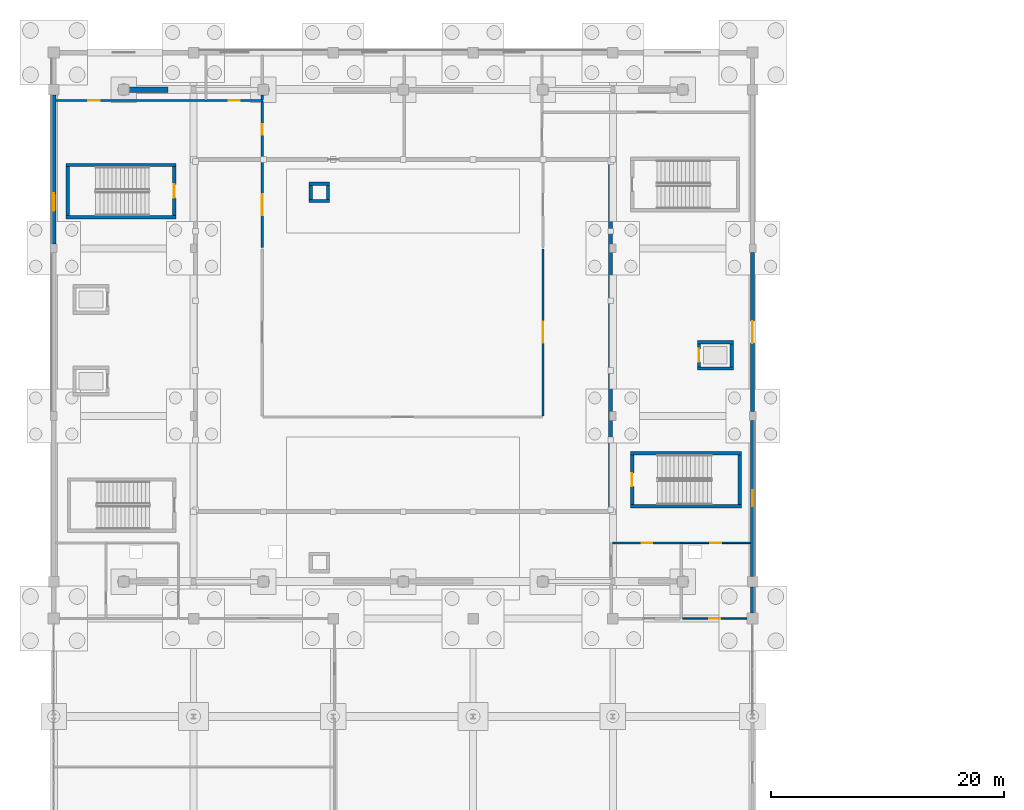
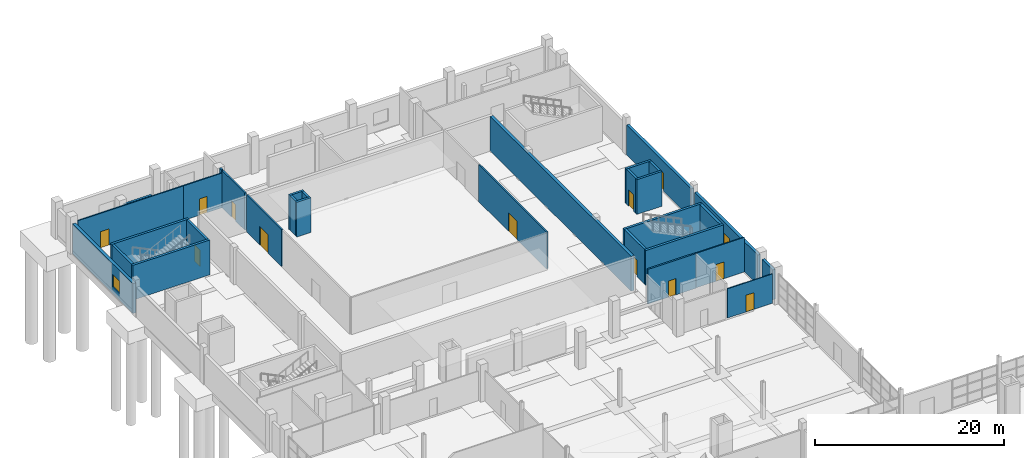
# One storey, part 60 of 82: 31 walls, 12 doors, 2 windows, 14 openings.
"""IFC4 building model written with IfcOpenShell, lengths in metres."""

from ifc_helpers import new_model, si_unit, direction, frame, frame_2d, origin, place, context, subcontext, project, spatial, rectangle, extrude, material, layer, layer_set, type_object, element, fill, save


model = new_model("IFC4")

# Units and contexts
model_context = context("Model", 3, precision=1e-05, world=origin(), true_north=direction((0.0, 1.0)))
body_context = subcontext(model_context, "Body", "Model", "MODEL_VIEW")
ifc_project = project(units=[si_unit("LENGTHUNIT", "METRE"), si_unit("AREAUNIT", "SQUARE_METRE"), si_unit("VOLUMEUNIT", "CUBIC_METRE"), si_unit("PLANEANGLEUNIT", "RADIAN"), si_unit("MASSUNIT", "GRAM", prefix="KILO")], contexts=[model_context])

# Site, building, storey
site_placement = place(None, origin())
site = spatial("IfcSite", under=ifc_project, at=site_placement, CompositionType="ELEMENT")
building_placement = place(site_placement, origin())
building = spatial("IfcBuilding", under=site, at=building_placement, Name="Kelmvaro Bay Concert Hall", CompositionType="ELEMENT")
storey_placement = place(building_placement, origin())
storey = spatial("IfcBuildingStorey", under=building, at=storey_placement, Name="L00", CompositionType="ELEMENT", Elevation=0.0)

# Wall, opening, door
ifc_material_1 = material(Name="Acoustic Gypsum Board on Galvanised Steel Studs", Category="steel")
ifc_layer_1 = layer(ifc_material_1, 0.199951171875)
ifc_layer_set_1 = layer_set([ifc_layer_1], Name="Acoustic Gypsum Board on Galvanised Steel Studs")
wall_type_1 = type_object("IfcWallType", Name="Double-Stud Acoustic Studio Partition 200", PredefinedType="PARTITIONING", material=ifc_layer_set_1)
wall_1_placement = place(storey_placement, frame((17.89990234375, 105.0048828125, 0.0), z_axis=(0.0, 0.0, 1.0), x_axis=(0.0, 1.0, 0.0)))
wall_1 = element("IfcWall", 1, at=wall_1_placement, inside=storey, type_object=wall_type_1, Name="L00 Interior Partition PT-L00-0015", PredefinedType="PARTITIONING", context=body_context, shape_type="SweptSolid", body=[
    extrude(rectangle(XDim=4.7900390625, YDim=0.199951171875, at=frame_2d((2.39501953125, 0.0))), origin(), (0.0, 0.0, 1.0), 4.800048828125),
])
opening_1_placement = place(wall_1_placement, frame((1.93994140625, 0.0, 0.0)))
opening_1 = element("IfcOpeningElement", 2, at=opening_1_placement, cuts=wall_1, Name="Opening ID-PL2", PredefinedType="OPENING", context=body_context, shape_type="SweptSolid", body=[
    extrude(rectangle(XDim=0.909912109375, YDim=2.10009765625, at=frame_2d((0.455078125, 1.050048828125))), frame((0.0, 0.10986328125, 0.0), z_axis=(0.0, -1.0, 0.0), x_axis=(1.0, 0.0, 0.0)), (0.0, 0.0, 1.0), 0.219970703125),
])
ifc_material_2 = material(Name="Fire-Rated Galvanised Steel", Category="steel")
door_type_1 = type_object("IfcDoorType", Name="Fire Command and Storage Door 910x2100", OperationType="NOTDEFINED", PredefinedType="DOOR", material=ifc_material_2)
door_1_placement = place(opening_1_placement, origin())
door_1 = element("IfcDoor", 3, at=door_1_placement, inside=storey, type_object=door_type_1, Name="L00 Interior Door DR-INT-L00-0012", OperationType="SINGLE_SWING_RIGHT", OverallHeight=2.10009765625, OverallWidth=0.909912109375, PredefinedType="DOOR", context=body_context, shape_type="SweptSolid", body=[
    extrude(rectangle(XDim=0.909912109375, YDim=2.10009765625, at=frame_2d((0.455078125, 1.050048828125))), frame((0.0, 0.02490234375, 0.0), z_axis=(0.0, -1.0, 0.0), x_axis=(1.0, 0.0, 0.0)), (0.0, 0.0, 1.0), 0.050048828125),
])
fill(opening_1, door_1)

# Wall
wall_2_placement = place(storey_placement, frame((17.89990234375, 109.965087890625, 0.0), z_axis=(0.0, 0.0, 1.0), x_axis=(0.0, 1.0, 0.0)))
element("IfcWall", 4, at=wall_2_placement, inside=storey, type_object=wall_type_1, Name="L00 Interior Partition PT-L00-0020", PredefinedType="PARTITIONING", context=body_context, shape_type="SweptSolid", body=[
    extrude(rectangle(XDim=0.39697265625, YDim=0.199951171875, at=frame_2d((0.198486328125, 0.0))), origin(), (0.0, 0.0, 1.0), 4.800048828125),
])

# Wall, opening, door
wall_3_placement = place(storey_placement, frame((47.989990234375, 71.89990234375, 0.0), z_axis=(0.0, 0.0, 1.0), x_axis=(1.0, 0.0, 0.0)))
wall_3 = element("IfcWall", 5, at=wall_3_placement, inside=storey, type_object=wall_type_1, Name="L00 Interior Partition PT-L00-0028", PredefinedType="PARTITIONING", context=body_context, shape_type="SweptSolid", body=[
    extrude(rectangle(XDim=5.89501953125, YDim=0.199951171875, at=frame_2d((2.947509765625, 0.0))), origin(), (0.0, 0.0, 1.0), 4.47998046875),
])
opening_2_placement = place(wall_3_placement, frame((2.492431640625, 0.0, 0.0)))
opening_2 = element("IfcOpeningElement", 6, at=opening_2_placement, cuts=wall_3, Name="Opening ID-PL2", PredefinedType="OPENING", context=body_context, shape_type="SweptSolid", body=[
    extrude(rectangle(XDim=0.909912109375, YDim=2.10009765625, at=frame_2d((0.455078125, 1.050048828125))), frame((0.0, 0.10986328125, 0.0), z_axis=(0.0, -1.0, 0.0), x_axis=(1.0, 0.0, 0.0)), (0.0, 0.0, 1.0), 0.219970703125),
])
door_2_placement = place(opening_2_placement, origin())
door_2 = element("IfcDoor", 7, at=door_2_placement, inside=storey, type_object=door_type_1, Name="L00 Interior Door DR-INT-L00-0016", OperationType="SINGLE_SWING_RIGHT", OverallHeight=2.10009765625, OverallWidth=0.909912109375, PredefinedType="DOOR", context=body_context, shape_type="SweptSolid", body=[
    extrude(rectangle(XDim=0.909912109375, YDim=2.10009765625, at=frame_2d((0.455078125, 1.050048828125))), frame((0.0, 0.02490234375, 0.0), z_axis=(0.0, -1.0, 0.0), x_axis=(1.0, 0.0, 0.0)), (0.0, 0.0, 1.0), 0.050048828125),
])
fill(opening_2, door_2)

# Wall
ifc_material_3 = material(Name="Concrete C40/50", Category="concrete")
ifc_layer_2 = layer(ifc_material_3, 0.35009765625)
ifc_layer_set_2 = layer_set([ifc_layer_2], Name="Concrete C40/50")
wall_type_2 = type_object("IfcWallType", Name="Inner Floating Box Shear Wall 350", PredefinedType="SHEAR", material=ifc_layer_set_2)
wall_4_placement = place(storey_placement, frame((47.820068359375, 74.7548828125, 0.0), z_axis=(0.0, 0.0, 1.0), x_axis=(0.0, 1.0, 0.0)))
element("IfcWall", 8, at=wall_4_placement, inside=storey, type_object=wall_type_2, Name="L00 V1 Acoustic Inner Box Wall E", PredefinedType="SHEAR", context=body_context, shape_type="SweptSolid", body=[
    extrude(rectangle(XDim=29.89013671875, YDim=0.35009765625, at=frame_2d((14.945068359375, 0.0))), origin(), (0.0, 0.0, 1.0), 4.5),
])

# Wall, opening, window
ifc_material_4 = material(Name="Precast Concrete C40/50", Category="concrete")
ifc_layer_3 = layer(ifc_material_4, 0.340087890625)
ifc_layer_set_3 = layer_set([ifc_layer_3], Name="Precast Concrete C40/50")
wall_type_3 = type_object("IfcWallType", Name="Main Hall Faceted Precast Wall 340", PredefinedType="SOLIDWALL", material=ifc_layer_set_3)
wall_5_placement = place(storey_placement, frame((60.0, 82.425048828125, 0.0), z_axis=(0.0, 0.0, 1.0), x_axis=(0.0, -1.0, 0.0)))
wall_5 = element("IfcWall", 9, at=wall_5_placement, inside=storey, type_object=wall_type_3, Name="L00 Exterior Wall EW-L00-0011", PredefinedType="SOLIDWALL", context=body_context, shape_type="SweptSolid", body=[
    extrude(rectangle(XDim=13.39501953125, YDim=0.340087890625, at=frame_2d((6.697509765625, 0.0))), origin(), (0.0, 0.0, 1.0), 3.868896484375),
])
opening_3_placement = place(wall_5_placement, frame((6.0224609375, 0.0, 0.85009765625)))
opening_3 = element("IfcOpeningElement", 10, at=opening_3_placement, cuts=wall_5, Name="Opening WN-05", PredefinedType="OPENING", context=body_context, shape_type="SweptSolid", body=[
    extrude(rectangle(XDim=1.35009765625, YDim=1.5, at=frame_2d((0.675048828125, 0.75))), frame((0.0, 0.179931640625, 0.0), z_axis=(0.0, -1.0, 0.0), x_axis=(1.0, 0.0, 0.0)), (0.0, 0.0, 1.0), 0.360107421875),
])
ifc_material_5 = material(Name="Thermally Broken Aluminium and Acoustic Low-E Glass", Category="aluminium")
window_type_1 = type_object("IfcWindowType", Name="Dressing Suite Daylight Window 1350x1500", PartitioningType="SINGLE_PANEL", PredefinedType="WINDOW", material=ifc_material_5)
window_1_placement = place(opening_3_placement, origin())
window_1 = element("IfcWindow", 11, at=window_1_placement, inside=storey, type_object=window_type_1, Name="L00 Facade Window WN-L00-0005", OverallHeight=1.5, OverallWidth=1.35009765625, PartitioningType="SINGLE_PANEL", PredefinedType="WINDOW", context=body_context, shape_type="SweptSolid", body=[
    extrude(rectangle(XDim=1.35009765625, YDim=1.5, at=frame_2d((0.675048828125, 0.75))), frame((0.0, 0.030029296875, 0.0), z_axis=(0.0, -1.0, 0.0), x_axis=(1.0, 0.0, 0.0)), (0.0, 0.0, 1.0), 0.06005859375),
])
fill(opening_3, window_1)

# Wall
wall_6_placement = place(storey_placement, frame((60.0, 68.1298828125, 0.0), z_axis=(0.0, 0.0, 1.0), x_axis=(0.0, -1.0, 0.0)))
element("IfcWall", 12, at=wall_6_placement, inside=storey, type_object=wall_type_3, Name="L00 Exterior Wall EW-L00-0012", PredefinedType="SOLIDWALL", context=body_context, shape_type="SweptSolid", body=[
    extrude(rectangle(XDim=2.2548828125, YDim=0.340087890625, at=frame_2d((1.12744140625, 0.0))), origin(), (0.0, 0.0, 1.0), 3.867919921875),
])

# Wall, opening, door
wall_7_placement = place(storey_placement, frame((60.0, 96.824951171875, 0.0), z_axis=(0.0, 0.0, 1.0), x_axis=(0.0, -1.0, 0.0)))
wall_7 = element("IfcWall", 13, at=wall_7_placement, inside=storey, type_object=wall_type_3, Name="L00 Exterior Wall EW-L00-0013", PredefinedType="SOLIDWALL", context=body_context, shape_type="SweptSolid", body=[
    extrude(rectangle(XDim=13.64990234375, YDim=0.340087890625, at=frame_2d((6.824951171875, 0.0))), origin(), (0.0, 0.0, 1.0), 3.868896484375),
])
opening_4_placement = place(wall_7_placement, frame((5.875, 0.0, 0.0)))
opening_4 = element("IfcOpeningElement", 14, at=opening_4_placement, cuts=wall_7, Name="Opening ED-190", PredefinedType="OPENING", context=body_context, shape_type="SweptSolid", body=[
    extrude(rectangle(XDim=1.89990234375, YDim=2.35009765625, at=frame_2d((0.949951171875, 1.175048828125))), frame((0.0, 0.179931640625, 0.0), z_axis=(0.0, -1.0, 0.0), x_axis=(1.0, 0.0, 0.0)), (0.0, 0.0, 1.0), 0.360107421875),
])
ifc_material_6 = material(Name="Thermally Broken Aluminium and Laminated Safety Glass", Category="aluminium")
door_type_2 = type_object("IfcDoorType", Name="Pavilion Discharge Double Door 1900x2350", OperationType="NOTDEFINED", PredefinedType="DOOR", material=ifc_material_6)
door_3_placement = place(opening_4_placement, origin())
door_3 = element("IfcDoor", 15, at=door_3_placement, inside=storey, type_object=door_type_2, Name="L00 Exterior Door DR-EXT-L00-003", OperationType="DOUBLE_DOOR_SINGLE_SWING", OverallHeight=2.35009765625, OverallWidth=1.89990234375, PredefinedType="DOOR", context=body_context, shape_type="SweptSolid", body=[
    extrude(rectangle(XDim=1.89990234375, YDim=2.35009765625, at=frame_2d((0.949951171875, 1.175048828125))), frame((0.0, 0.02490234375, 0.0), z_axis=(0.0, -1.0, 0.0), x_axis=(1.0, 0.0, 0.0)), (0.0, 0.0, 1.0), 0.050048828125),
])
fill(opening_4, door_3)

# Wall
ifc_material_7 = material(Name="Concrete C40/50", Category="concrete")
ifc_layer_4 = layer(ifc_material_7, 0.449951171875)
ifc_layer_set_4 = layer_set([ifc_layer_4], Name="Concrete C40/50")
wall_type_4 = type_object("IfcWallType", Name="Outer Acoustic Box Shear Wall 450", PredefinedType="SHEAR", material=ifc_layer_set_4)
wall_8_placement = place(storey_placement, frame((6.449951171875, 110.820068359375, 0.0), z_axis=(0.0, 0.0, 1.0), x_axis=(1.0, 0.0, 0.0)))
element("IfcWall", 16, at=wall_8_placement, inside=storey, type_object=wall_type_4, Name="L00 Shell Springing Shear Wall N1", PredefinedType="SHEAR", context=body_context, shape_type="SweptSolid", body=[
    extrude(rectangle(XDim=3.35009765625, YDim=0.449951171875, at=frame_2d((1.675048828125, 0.0))), origin(), (0.0, 0.0, 1.0), 3.804931640625),
])

# Wall, opening, door
ifc_material_8 = material(Name="Acoustic Gypsum Board on Galvanised Steel Studs", Category="steel")
ifc_layer_5 = layer(ifc_material_8, 0.179931640625)
ifc_layer_set_5 = layer_set([ifc_layer_5], Name="Acoustic Gypsum Board on Galvanised Steel Studs")
wall_type_5 = type_object("IfcWallType", Name="Rehearsal Suite Acoustic Partition 180", PredefinedType="PARTITIONING", material=ifc_layer_set_5)
wall_9_placement = place(storey_placement, frame((42.0, 82.800048828125, 0.0), z_axis=(0.0, 0.0, 1.0), x_axis=(0.0, 1.0, 0.0)))
wall_9 = element("IfcWall", 17, at=wall_9_placement, inside=storey, type_object=wall_type_5, Name="L00 Interior Partition PT-L00-0003", PredefinedType="PARTITIONING", context=body_context, shape_type="SweptSolid", body=[
    extrude(rectangle(XDim=14.349853515625, YDim=0.179931640625, at=frame_2d((7.1748046875, 0.0))), origin(), (0.0, 0.0, 1.0), 4.800048828125),
])
opening_5_placement = place(wall_9_placement, frame((6.27490234375, 0.0, 0.0)))
opening_5 = element("IfcOpeningElement", 18, at=opening_5_placement, cuts=wall_9, Name="Opening ID-AC1", PredefinedType="OPENING", context=body_context, shape_type="SweptSolid", body=[
    extrude(rectangle(XDim=1.800048828125, YDim=2.3798828125, at=frame_2d((0.89990234375, 1.18994140625))), frame((0.0, 0.099853515625, 0.0), z_axis=(0.0, -1.0, 0.0), x_axis=(1.0, 0.0, 0.0)), (0.0, 0.0, 1.0), 0.199951171875),
])
ifc_material_9 = material(Name="Solid White Oak Acoustic Leaf")
door_type_3 = type_object("IfcDoorType", Name="Symphony Hall Acoustic Double Door 1800x2380", OperationType="NOTDEFINED", PredefinedType="DOOR", material=ifc_material_9)
door_4_placement = place(opening_5_placement, origin())
door_4 = element("IfcDoor", 19, at=door_4_placement, inside=storey, type_object=door_type_3, Name="L00 Interior Door DR-INT-L00-0003", OperationType="DOUBLE_DOOR_SINGLE_SWING", OverallHeight=2.3798828125, OverallWidth=1.800048828125, PredefinedType="DOOR", context=body_context, shape_type="SweptSolid", body=[
    extrude(rectangle(XDim=1.800048828125, YDim=2.3798828125, at=frame_2d((0.89990234375, 1.18994140625))), frame((0.0, 0.02490234375, 0.0), z_axis=(0.0, -1.0, 0.0), x_axis=(1.0, 0.0, 0.0)), (0.0, 0.0, 1.0), 0.050048828125),
])
fill(opening_5, door_4)

wall_10_placement = place(storey_placement, frame((17.89990234375, 97.25, 0.0), z_axis=(0.0, 0.0, 1.0), x_axis=(0.0, 1.0, 0.0)))
wall_10 = element("IfcWall", 20, at=wall_10_placement, inside=storey, type_object=wall_type_5, Name="L00 Interior Partition PT-L00-0004", PredefinedType="PARTITIONING", context=body_context, shape_type="SweptSolid", body=[
    extrude(rectangle(XDim=7.385009765625, YDim=0.179931640625, at=frame_2d((3.6923828125, 0.0))), origin(), (0.0, 0.0, 1.0), 4.800048828125),
])
opening_6_placement = place(wall_10_placement, frame((2.79248046875, 0.0, 0.0)))
opening_6 = element("IfcOpeningElement", 21, at=opening_6_placement, cuts=wall_10, Name="Opening ID-AC1", PredefinedType="OPENING", context=body_context, shape_type="SweptSolid", body=[
    extrude(rectangle(XDim=1.800048828125, YDim=2.3798828125, at=frame_2d((0.89990234375, 1.18994140625))), frame((0.0, 0.099853515625, 0.0), z_axis=(0.0, -1.0, 0.0), x_axis=(1.0, 0.0, 0.0)), (0.0, 0.0, 1.0), 0.199951171875),
])
door_5_placement = place(opening_6_placement, origin())
door_5 = element("IfcDoor", 22, at=door_5_placement, inside=storey, type_object=door_type_3, Name="L00 Interior Door DR-INT-L00-0004", OperationType="DOUBLE_DOOR_SINGLE_SWING", OverallHeight=2.3798828125, OverallWidth=1.800048828125, PredefinedType="DOOR", context=body_context, shape_type="SweptSolid", body=[
    extrude(rectangle(XDim=1.800048828125, YDim=2.3798828125, at=frame_2d((0.89990234375, 1.18994140625))), frame((0.0, 0.02490234375, 0.0), z_axis=(0.0, -1.0, 0.0), x_axis=(1.0, 0.0, 0.0)), (0.0, 0.0, 1.0), 0.050048828125),
])
fill(opening_6, door_5)

# Walls
ifc_material_10 = material(Name="Concrete C40/50", Category="concrete")
ifc_layer_6 = layer(ifc_material_10, 0.27001953125)
ifc_layer_set_6 = layer_set([ifc_layer_6], Name="Concrete C40/50")
wall_type_6 = type_object("IfcWallType", Name="Secondary Shaft Shear Wall 270", PredefinedType="SHEAR", material=ifc_layer_set_6)
for number, where, z_axis, x_axis, name in (
    (23, (21.929931640625, 101.264892578125, 0.0), (0.0, 0.0, 1.0), (1.0, 0.0, 0.0), "L00 Service Riser Shaft Wall 005-S"),
    (24, (21.929931640625, 102.735107421875, 0.0), (0.0, 0.0, 1.0), (1.0, 0.0, 0.0), "L00 Service Riser Shaft Wall 006-N"),
):
    element("IfcWall", number, at=place(storey_placement, frame(where, z_axis=z_axis, x_axis=x_axis)), inside=storey, type_object=wall_type_6, Name=name, PredefinedType="SHEAR", context=body_context, shape_type="SweptSolid", body=[
        extrude(rectangle(XDim=1.739990234375, YDim=0.27001953125, at=frame_2d((0.8701171875, 0.0))), origin(), (0.0, 0.0, 1.0), 4.5),
    ])
for number, where, z_axis, x_axis, name in (
    (25, (22.06494140625, 101.39990234375, 0.0), (0.0, 0.0, 1.0), (0.0, 1.0, 0.0), "L00 Service Riser Shaft Wall 007-W"),
    (26, (23.534912109375, 101.39990234375, 0.0), (0.0, 0.0, 1.0), (0.0, 1.0, 0.0), "L00 Service Riser Shaft Wall 008-E"),
):
    element("IfcWall", number, at=place(storey_placement, frame(where, z_axis=z_axis, x_axis=x_axis)), inside=storey, type_object=wall_type_6, Name=name, PredefinedType="SHEAR", context=body_context, shape_type="SweptSolid", body=[
        extrude(rectangle(XDim=1.2001953125, YDim=0.27001953125, at=frame_2d((0.60009765625, 0.0))), origin(), (0.0, 0.0, 1.0), 4.5),
    ])
for number, where, z_axis, x_axis, name in (
    (27, (55.2548828125, 86.864990234375, 0.0), (0.0, 0.0, 1.0), (1.0, 0.0, 0.0), "L00 LF-03 Lift Shaft Wall S"),
    (28, (55.2548828125, 89.135009765625, 0.0), (0.0, 0.0, 1.0), (1.0, 0.0, 0.0), "L00 LF-03 Lift Shaft Wall N"),
):
    element("IfcWall", number, at=place(storey_placement, frame(where, z_axis=z_axis, x_axis=x_axis)), inside=storey, type_object=wall_type_6, Name=name, PredefinedType="SHEAR", context=body_context, shape_type="SweptSolid", body=[
        extrude(rectangle(XDim=3.090087890625, YDim=0.27001953125, at=frame_2d((1.544921875, 0.0))), origin(), (0.0, 0.0, 1.0), 4.5),
    ])

# Wall, opening, door
wall_11_placement = place(storey_placement, frame((55.389892578125, 87.0, 0.0), z_axis=(0.0, 0.0, 1.0), x_axis=(0.0, 1.0, 0.0)))
wall_11 = element("IfcWall", 29, at=wall_11_placement, inside=storey, type_object=wall_type_6, Name="L00 LF-03 Lift Shaft Wall W", PredefinedType="SHEAR", context=body_context, shape_type="SweptSolid", body=[
    extrude(rectangle(XDim=2.0, YDim=0.27001953125, at=frame_2d((1.0, 0.0))), origin(), (0.0, 0.0, 1.0), 4.5),
])
opening_7_placement = place(wall_11_placement, frame((0.43994140625, 0.0, 0.0)))
opening_7 = element("IfcOpeningElement", 30, at=opening_7_placement, cuts=wall_11, Name="Opening LD-112", PredefinedType="OPENING", context=body_context, shape_type="SweptSolid", body=[
    extrude(rectangle(XDim=1.1201171875, YDim=2.14990234375, at=frame_2d((0.56005859375, 1.074951171875))), frame((0.0, 0.14501953125, 0.0), z_axis=(0.0, -1.0, 0.0), x_axis=(1.0, 0.0, 0.0)), (0.0, 0.0, 1.0), 0.2900390625),
])
ifc_material_11 = material(Name="Brushed Stainless Steel 316", Category="steel")
door_type_4 = type_object("IfcDoorType", Name="Passenger Lift Sliding Landing Door 1120x2150", OperationType="NOTDEFINED", PredefinedType="DOOR", material=ifc_material_11)
door_6_placement = place(opening_7_placement, origin())
door_6 = element("IfcDoor", 31, at=door_6_placement, inside=storey, type_object=door_type_4, Name="L00 Lift Landing Door LF-03", OperationType="SLIDING_TO_LEFT", OverallHeight=2.14990234375, OverallWidth=1.1201171875, PredefinedType="DOOR", context=body_context, shape_type="SweptSolid", body=[
    extrude(rectangle(XDim=1.1201171875, YDim=2.14990234375, at=frame_2d((0.56005859375, 1.074951171875))), frame((0.0, 0.02490234375, 0.0), z_axis=(0.0, -1.0, 0.0), x_axis=(1.0, 0.0, 0.0)), (0.0, 0.0, 1.0), 0.050048828125),
])
fill(opening_7, door_6)

# Walls
wall_12_placement = place(storey_placement, frame((58.2099609375, 87.0, 0.0), z_axis=(0.0, 0.0, 1.0), x_axis=(0.0, 1.0, 0.0)))
element("IfcWall", 32, at=wall_12_placement, inside=storey, type_object=wall_type_6, Name="L00 LF-03 Lift Shaft Wall E", PredefinedType="SHEAR", context=body_context, shape_type="SweptSolid", body=[
    extrude(rectangle(XDim=2.0, YDim=0.27001953125, at=frame_2d((1.0, 0.0))), origin(), (0.0, 0.0, 1.0), 4.5),
])
ifc_material_12 = material(Name="Concrete C40/50", Category="concrete")
ifc_layer_7 = layer(ifc_material_12, 0.2900390625)
ifc_layer_set_7 = layer_set([ifc_layer_7], Name="Concrete C40/50")
wall_type_7 = type_object("IfcWallType", Name="Stair and Lift Core Shear Wall 290", PredefinedType="SHEAR", material=ifc_layer_set_7)
for number, where, z_axis, x_axis, name in (
    (33, (1.06005859375, 99.864990234375, 0.0), (0.0, 0.0, 1.0), (1.0, 0.0, 0.0), "L00 ST-03 Core Shear Wall S"),
    (34, (1.06005859375, 104.344970703125, 0.0), (0.0, 0.0, 1.0), (1.0, 0.0, 0.0), "L00 ST-03 Core Shear Wall N"),
):
    element("IfcWall", number, at=place(storey_placement, frame(where, z_axis=z_axis, x_axis=x_axis)), inside=storey, type_object=wall_type_7, Name=name, PredefinedType="SHEAR", context=body_context, shape_type="SweptSolid", body=[
        extrude(rectangle(XDim=9.429931640625, YDim=0.2900390625, at=frame_2d((4.71484375, 0.0))), origin(), (0.0, 0.0, 1.0), 4.5),
    ])
wall_13_placement = place(storey_placement, frame((1.205078125, 100.010009765625, 0.0), z_axis=(0.0, 0.0, 1.0), x_axis=(0.0, 1.0, 0.0)))
element("IfcWall", 35, at=wall_13_placement, inside=storey, type_object=wall_type_7, Name="L00 ST-03 Core Shear Wall W", PredefinedType="SHEAR", context=body_context, shape_type="SweptSolid", body=[
    extrude(rectangle(XDim=4.18994140625, YDim=0.2900390625, at=frame_2d((2.094970703125, 0.0))), origin(), (0.0, 0.0, 1.0), 4.5),
])

# Wall, opening, door
wall_14_placement = place(storey_placement, frame((10.344970703125, 100.010009765625, 0.0), z_axis=(0.0, 0.0, 1.0), x_axis=(0.0, 1.0, 0.0)))
wall_14 = element("IfcWall", 36, at=wall_14_placement, inside=storey, type_object=wall_type_7, Name="L00 ST-03 Core Shear Wall E", PredefinedType="SHEAR", context=body_context, shape_type="SweptSolid", body=[
    extrude(rectangle(XDim=4.18994140625, YDim=0.2900390625, at=frame_2d((2.094970703125, 0.0))), origin(), (0.0, 0.0, 1.0), 4.5),
])
opening_8_placement = place(wall_14_placement, frame((1.52001953125, 0.0, 0.0)))
opening_8 = element("IfcOpeningElement", 37, at=opening_8_placement, cuts=wall_14, Name="Opening ID-ST1", PredefinedType="OPENING", context=body_context, shape_type="SweptSolid", body=[
    extrude(rectangle(XDim=1.14990234375, YDim=2.14990234375, at=frame_2d((0.574951171875, 1.074951171875))), frame((0.0, 0.155029296875, 0.0), z_axis=(0.0, -1.0, 0.0), x_axis=(1.0, 0.0, 0.0)), (0.0, 0.0, 1.0), 0.31005859375),
])
ifc_material_13 = material(Name="Fire-Rated Galvanised Steel", Category="steel")
door_type_5 = type_object("IfcDoorType", Name="Exit Stair Fire Door 1150x2150", OperationType="NOTDEFINED", PredefinedType="DOOR", material=ifc_material_13)
door_7_placement = place(opening_8_placement, origin())
door_7 = element("IfcDoor", 38, at=door_7_placement, inside=storey, type_object=door_type_5, Name="L00 ST-03 Stair Fire Door", OperationType="SINGLE_SWING_RIGHT", OverallHeight=2.14990234375, OverallWidth=1.14990234375, PredefinedType="DOOR", context=body_context, shape_type="SweptSolid", body=[
    extrude(rectangle(XDim=1.14990234375, YDim=2.14990234375, at=frame_2d((0.574951171875, 1.074951171875))), frame((0.0, 0.02490234375, 0.0), z_axis=(0.0, -1.0, 0.0), x_axis=(1.0, 0.0, 0.0)), (0.0, 0.0, 1.0), 0.050048828125),
])
fill(opening_8, door_7)

# Walls
for number, where, z_axis, x_axis, name in (
    (39, (49.510009765625, 75.054931640625, 0.0), (0.0, 0.0, 1.0), (1.0, 0.0, 0.0), "L00 ST-04 Core Shear Wall S"),
    (40, (49.510009765625, 79.594970703125, 0.0), (0.0, 0.0, 1.0), (1.0, 0.0, 0.0), "L00 ST-04 Core Shear Wall N"),
):
    element("IfcWall", number, at=place(storey_placement, frame(where, z_axis=z_axis, x_axis=x_axis)), inside=storey, type_object=wall_type_7, Name=name, PredefinedType="SHEAR", context=body_context, shape_type="SweptSolid", body=[
        extrude(rectangle(XDim=9.530029296875, YDim=0.2900390625, at=frame_2d((4.76513671875, 0.0))), origin(), (0.0, 0.0, 1.0), 4.5),
    ])

# Wall, opening, door
wall_15_placement = place(storey_placement, frame((49.655029296875, 75.199951171875, 0.0), z_axis=(0.0, 0.0, 1.0), x_axis=(0.0, 1.0, 0.0)))
wall_15 = element("IfcWall", 41, at=wall_15_placement, inside=storey, type_object=wall_type_7, Name="L00 ST-04 Core Shear Wall W", PredefinedType="SHEAR", context=body_context, shape_type="SweptSolid", body=[
    extrude(rectangle(XDim=4.25, YDim=0.2900390625, at=frame_2d((2.125, 0.0))), origin(), (0.0, 0.0, 1.0), 4.5),
])
opening_9_placement = place(wall_15_placement, frame((1.550048828125, 0.0, 0.0)))
opening_9 = element("IfcOpeningElement", 42, at=opening_9_placement, cuts=wall_15, Name="Opening ID-ST1", PredefinedType="OPENING", context=body_context, shape_type="SweptSolid", body=[
    extrude(rectangle(XDim=1.14990234375, YDim=2.14990234375, at=frame_2d((0.574951171875, 1.074951171875))), frame((0.0, 0.155029296875, 0.0), z_axis=(0.0, -1.0, 0.0), x_axis=(1.0, 0.0, 0.0)), (0.0, 0.0, 1.0), 0.31005859375),
])
door_8_placement = place(opening_9_placement, origin())
door_8 = element("IfcDoor", 43, at=door_8_placement, inside=storey, type_object=door_type_5, Name="L00 ST-04 Stair Fire Door", OperationType="SINGLE_SWING_RIGHT", OverallHeight=2.14990234375, OverallWidth=1.14990234375, PredefinedType="DOOR", context=body_context, shape_type="SweptSolid", body=[
    extrude(rectangle(XDim=1.14990234375, YDim=2.14990234375, at=frame_2d((0.574951171875, 1.074951171875))), frame((0.0, 0.02490234375, 0.0), z_axis=(0.0, -1.0, 0.0), x_axis=(1.0, 0.0, 0.0)), (0.0, 0.0, 1.0), 0.050048828125),
])
fill(opening_9, door_8)

# Wall
wall_16_placement = place(storey_placement, frame((58.89501953125, 75.199951171875, 0.0), z_axis=(0.0, 0.0, 1.0), x_axis=(0.0, 1.0, 0.0)))
element("IfcWall", 44, at=wall_16_placement, inside=storey, type_object=wall_type_7, Name="L00 ST-04 Core Shear Wall E", PredefinedType="SHEAR", context=body_context, shape_type="SweptSolid", body=[
    extrude(rectangle(XDim=4.25, YDim=0.2900390625, at=frame_2d((2.125, 0.0))), origin(), (0.0, 0.0, 1.0), 4.5),
])

# Wall, opening, door
ifc_material_14 = material(Name="Acoustic Gypsum Board on Galvanised Steel Studs", Category="steel")
ifc_layer_8 = layer(ifc_material_14, 0.1201171875)
ifc_layer_set_8 = layer_set([ifc_layer_8], Name="Acoustic Gypsum Board on Galvanised Steel Studs")
wall_type_8 = type_object("IfcWallType", Name="Standard Architectural Partition 120", PredefinedType="PARTITIONING", material=ifc_layer_set_8)
wall_17_placement = place(storey_placement, frame((53.875, 71.89990234375, 0.0), z_axis=(0.0, 0.0, 1.0), x_axis=(1.0, 0.0, 0.0)))
wall_17 = element("IfcWall", 45, at=wall_17_placement, inside=storey, type_object=wall_type_8, Name="L00 Interior Partition PT-L00-0029", PredefinedType="PARTITIONING", context=body_context, shape_type="SweptSolid", body=[
    extrude(rectangle(XDim=5.945068359375, YDim=0.1201171875, at=frame_2d((2.97265625, 0.0))), origin(), (0.0, 0.0, 1.0), 4.47998046875),
])
opening_10_placement = place(wall_17_placement, frame((2.492431640625, 0.0, 0.0)))
opening_10 = element("IfcOpeningElement", 46, at=opening_10_placement, cuts=wall_17, Name="Opening ID-AD1", PredefinedType="OPENING", context=body_context, shape_type="SweptSolid", body=[
    extrude(rectangle(XDim=0.9599609375, YDim=2.159912109375, at=frame_2d((0.47998046875, 1.080078125))), frame((0.0, 0.070068359375, 0.0), z_axis=(0.0, -1.0, 0.0), x_axis=(1.0, 0.0, 0.0)), (0.0, 0.0, 1.0), 0.14013671875),
])
ifc_material_15 = material(Name="Anodised Aluminium and Glass", Category="aluminium")
door_type_6 = type_object("IfcDoorType", Name="Administration Suite Glazed Door 960x2160", OperationType="NOTDEFINED", PredefinedType="DOOR", material=ifc_material_15)
door_9_placement = place(opening_10_placement, origin())
door_9 = element("IfcDoor", 47, at=door_9_placement, inside=storey, type_object=door_type_6, Name="L00 Interior Door DR-INT-L00-0017", OperationType="SINGLE_SWING_LEFT", OverallHeight=2.159912109375, OverallWidth=0.9599609375, PredefinedType="DOOR", context=body_context, shape_type="SweptSolid", body=[
    extrude(rectangle(XDim=0.9599609375, YDim=2.159912109375, at=frame_2d((0.47998046875, 1.080078125))), frame((0.0, 0.02490234375, 0.0), z_axis=(0.0, -1.0, 0.0), x_axis=(1.0, 0.0, 0.0)), (0.0, 0.0, 1.0), 0.050048828125),
])
fill(opening_10, door_9)

wall_18_placement = place(storey_placement, frame((53.989990234375, 65.39990234375, 0.0), z_axis=(0.0, 0.0, 1.0), x_axis=(1.0, 0.0, 0.0)))
wall_18 = element("IfcWall", 48, at=wall_18_placement, inside=storey, type_object=wall_type_8, Name="L00 Interior Partition PT-L00-0033", PredefinedType="PARTITIONING", context=body_context, shape_type="SweptSolid", body=[
    extrude(rectangle(XDim=5.527099609375, YDim=0.1201171875, at=frame_2d((2.763671875, 0.0))), origin(), (0.0, 0.0, 1.0), 3.787109375),
])
opening_11_placement = place(wall_18_placement, frame((2.283447265625, 0.0, 0.0)))
opening_11 = element("IfcOpeningElement", 49, at=opening_11_placement, cuts=wall_18, Name="Opening ID-AD1", PredefinedType="OPENING", context=body_context, shape_type="SweptSolid", body=[
    extrude(rectangle(XDim=0.9599609375, YDim=2.159912109375, at=frame_2d((0.47998046875, 1.080078125))), frame((0.0, 0.070068359375, 0.0), z_axis=(0.0, -1.0, 0.0), x_axis=(1.0, 0.0, 0.0)), (0.0, 0.0, 1.0), 0.14013671875),
])
door_10_placement = place(opening_11_placement, origin())
door_10 = element("IfcDoor", 50, at=door_10_placement, inside=storey, type_object=door_type_6, Name="L00 Interior Door DR-INT-L00-0019", OperationType="SINGLE_SWING_LEFT", OverallHeight=2.159912109375, OverallWidth=0.9599609375, PredefinedType="DOOR", context=body_context, shape_type="SweptSolid", body=[
    extrude(rectangle(XDim=0.9599609375, YDim=2.159912109375, at=frame_2d((0.47998046875, 1.080078125))), frame((0.0, 0.02490234375, 0.0), z_axis=(0.0, -1.0, 0.0), x_axis=(1.0, 0.0, 0.0)), (0.0, 0.0, 1.0), 0.050048828125),
])
fill(opening_11, door_10)

# Wall, opening, window
ifc_material_16 = material(Name="Precast Concrete C40/50", Category="concrete")
ifc_layer_9 = layer(ifc_material_16, 0.360107421875)
ifc_layer_set_9 = layer_set([ifc_layer_9], Name="Precast Concrete C40/50")
wall_type_9 = type_object("IfcWallType", Name="Travertine Acoustic Precast Wall 360", PredefinedType="SOLIDWALL", material=ifc_layer_set_9)
wall_19_placement = place(storey_placement, frame((0.0, 97.574951171875, 0.0), z_axis=(0.0, 0.0, 1.0), x_axis=(0.0, 1.0, 0.0)))
wall_19 = element("IfcWall", 51, at=wall_19_placement, inside=storey, type_object=wall_type_9, Name="L00 Exterior Wall EW-L00-0009", PredefinedType="SOLIDWALL", context=body_context, shape_type="SweptSolid", body=[
    extrude(rectangle(XDim=12.795166015625, YDim=0.360107421875, at=frame_2d((6.3974609375, 0.0))), origin(), (0.0, 0.0, 1.0), 3.868896484375),
])
opening_12_placement = place(wall_19_placement, frame((2.83251953125, 0.0, 0.85009765625)))
opening_12 = element("IfcOpeningElement", 52, at=opening_12_placement, cuts=wall_19, Name="Opening WN-04", PredefinedType="OPENING", context=body_context, shape_type="SweptSolid", body=[
    extrude(rectangle(XDim=1.5, YDim=1.64990234375, at=frame_2d((0.75, 0.824951171875))), frame((0.0, 0.18994140625, 0.0), z_axis=(0.0, -1.0, 0.0), x_axis=(1.0, 0.0, 0.0)), (0.0, 0.0, 1.0), 0.380126953125),
])
ifc_material_17 = material(Name="Thermally Broken Aluminium and Acoustic Low-E Glass", Category="aluminium")
window_type_2 = type_object("IfcWindowType", Name="Practice Studio Acoustic Window 1500x1650", PartitioningType="SINGLE_PANEL", PredefinedType="WINDOW", material=ifc_material_17)
window_2_placement = place(opening_12_placement, origin())
window_2 = element("IfcWindow", 53, at=window_2_placement, inside=storey, type_object=window_type_2, Name="L00 Facade Window WN-L00-0004", OverallHeight=1.64990234375, OverallWidth=1.5, PartitioningType="SINGLE_PANEL", PredefinedType="WINDOW", context=body_context, shape_type="SweptSolid", body=[
    extrude(rectangle(XDim=1.5, YDim=1.64990234375, at=frame_2d((0.75, 0.824951171875))), frame((0.0, 0.030029296875, 0.0), z_axis=(0.0, -1.0, 0.0), x_axis=(1.0, 0.0, 0.0)), (0.0, 0.0, 1.0), 0.06005859375),
])
fill(opening_12, window_2)

# Wall, opening, door
ifc_material_18 = material(Name="Acoustic Gypsum Board on Galvanised Steel Studs", Category="steel")
ifc_layer_10 = layer(ifc_material_18, 0.14990234375)
ifc_layer_set_10 = layer_set([ifc_layer_10], Name="Acoustic Gypsum Board on Galvanised Steel Studs")
wall_type_10 = type_object("IfcWallType", Name="Wet Area Moisture-Resistant Partition 150", PredefinedType="PARTITIONING", material=ifc_layer_set_10)
wall_20_placement = place(storey_placement, frame((0.18994140625, 109.8798828125, 0.0), z_axis=(0.0, 0.0, 1.0), x_axis=(1.0, 0.0, 0.0)))
wall_20 = element("IfcWall", 54, at=wall_20_placement, inside=storey, type_object=wall_type_10, Name="L00 Interior Partition PT-L00-0013", PredefinedType="PARTITIONING", context=body_context, shape_type="SweptSolid", body=[
    extrude(rectangle(XDim=12.89501953125, YDim=0.14990234375, at=frame_2d((6.447509765625, 0.0))), origin(), (0.0, 0.0, 1.0), 4.47998046875),
])
opening_13_placement = place(wall_20_placement, frame((2.756103515625, 0.0, 0.0)))
opening_13 = element("IfcOpeningElement", 55, at=opening_13_placement, cuts=wall_20, Name="Opening ID-WC2", PredefinedType="OPENING", context=body_context, shape_type="SweptSolid", body=[
    extrude(rectangle(XDim=1.010009765625, YDim=2.10009765625, at=frame_2d((0.5048828125, 1.050048828125))), frame((0.0, 0.0849609375, 0.0), z_axis=(0.0, -1.0, 0.0), x_axis=(1.0, 0.0, 0.0)), (0.0, 0.0, 1.0), 0.169921875),
])
ifc_material_19 = material(Name="High-Pressure Laminate Core")
door_type_7 = type_object("IfcDoorType", Name="Public Restroom Vestibule Door 1010x2100", OperationType="NOTDEFINED", PredefinedType="DOOR", material=ifc_material_19)
door_11_placement = place(opening_13_placement, origin())
door_11 = element("IfcDoor", 56, at=door_11_placement, inside=storey, type_object=door_type_7, Name="L00 Interior Door DR-INT-L00-0010", OperationType="SINGLE_SWING_RIGHT", OverallHeight=2.10009765625, OverallWidth=1.010009765625, PredefinedType="DOOR", context=body_context, shape_type="SweptSolid", body=[
    extrude(rectangle(XDim=1.010009765625, YDim=2.10009765625, at=frame_2d((0.5048828125, 1.050048828125))), frame((0.0, 0.02490234375, 0.0), z_axis=(0.0, -1.0, 0.0), x_axis=(1.0, 0.0, 0.0)), (0.0, 0.0, 1.0), 0.050048828125),
])
fill(opening_13, door_11)

wall_21_placement = place(storey_placement, frame((13.074951171875, 109.8798828125, 0.0), z_axis=(0.0, 0.0, 1.0), x_axis=(1.0, 0.0, 0.0)))
wall_21 = element("IfcWall", 57, at=wall_21_placement, inside=storey, type_object=wall_type_10, Name="L00 Interior Partition PT-L00-0014", PredefinedType="PARTITIONING", context=body_context, shape_type="SweptSolid", body=[
    extrude(rectangle(XDim=4.875, YDim=0.14990234375, at=frame_2d((2.4375, 0.0))), origin(), (0.0, 0.0, 1.0), 4.47998046875),
])
opening_14_placement = place(wall_21_placement, frame((1.967529296875, 0.0, 0.0)))
opening_14 = element("IfcOpeningElement", 58, at=opening_14_placement, cuts=wall_21, Name="Opening ID-WC1", PredefinedType="OPENING", context=body_context, shape_type="SweptSolid", body=[
    extrude(rectangle(XDim=0.93994140625, YDim=2.10009765625, at=frame_2d((0.469970703125, 1.050048828125))), frame((0.0, 0.0849609375, 0.0), z_axis=(0.0, -1.0, 0.0), x_axis=(1.0, 0.0, 0.0)), (0.0, 0.0, 1.0), 0.169921875),
])
ifc_material_20 = material(Name="High-Pressure Laminate Core")
door_type_8 = type_object("IfcDoorType", Name="Accessible Restroom Door 940x2100", OperationType="NOTDEFINED", PredefinedType="DOOR", material=ifc_material_20)
door_12_placement = place(opening_14_placement, origin())
door_12 = element("IfcDoor", 59, at=door_12_placement, inside=storey, type_object=door_type_8, Name="L00 Interior Door DR-INT-L00-0011", OperationType="SINGLE_SWING_LEFT", OverallHeight=2.10009765625, OverallWidth=0.93994140625, PredefinedType="DOOR", context=body_context, shape_type="SweptSolid", body=[
    extrude(rectangle(XDim=0.93994140625, YDim=2.10009765625, at=frame_2d((0.469970703125, 1.050048828125))), frame((0.0, 0.02490234375, 0.0), z_axis=(0.0, -1.0, 0.0), x_axis=(1.0, 0.0, 0.0)), (0.0, 0.0, 1.0), 0.050048828125),
])
fill(opening_14, door_12)

save(model, "model.ifc")
